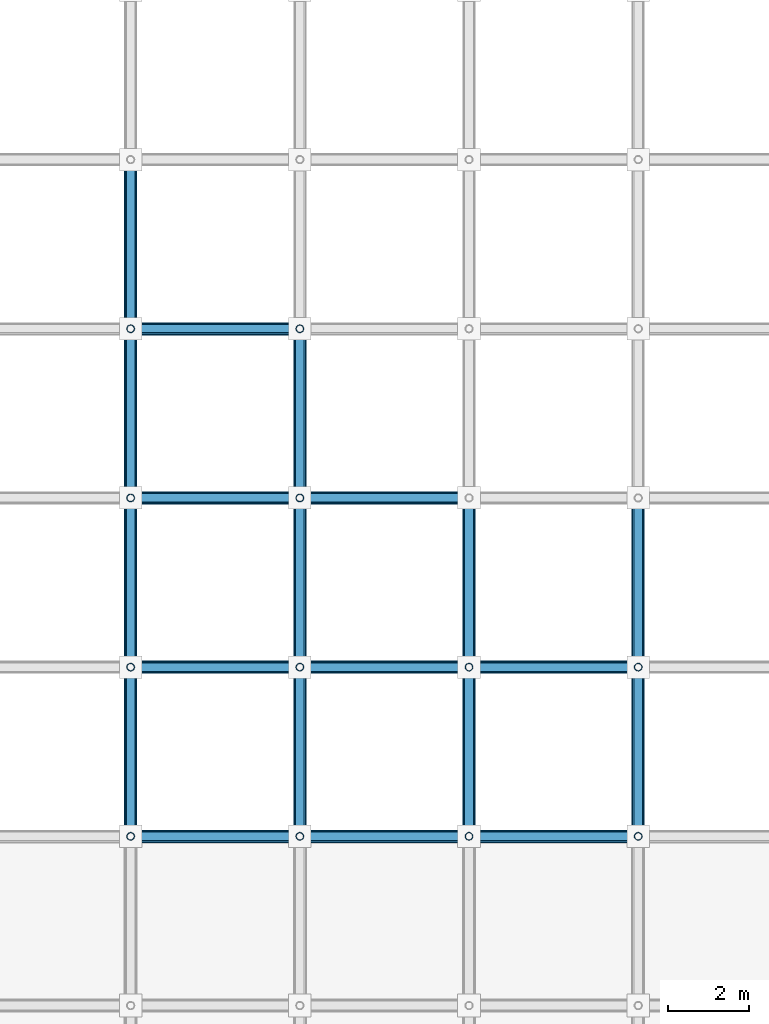
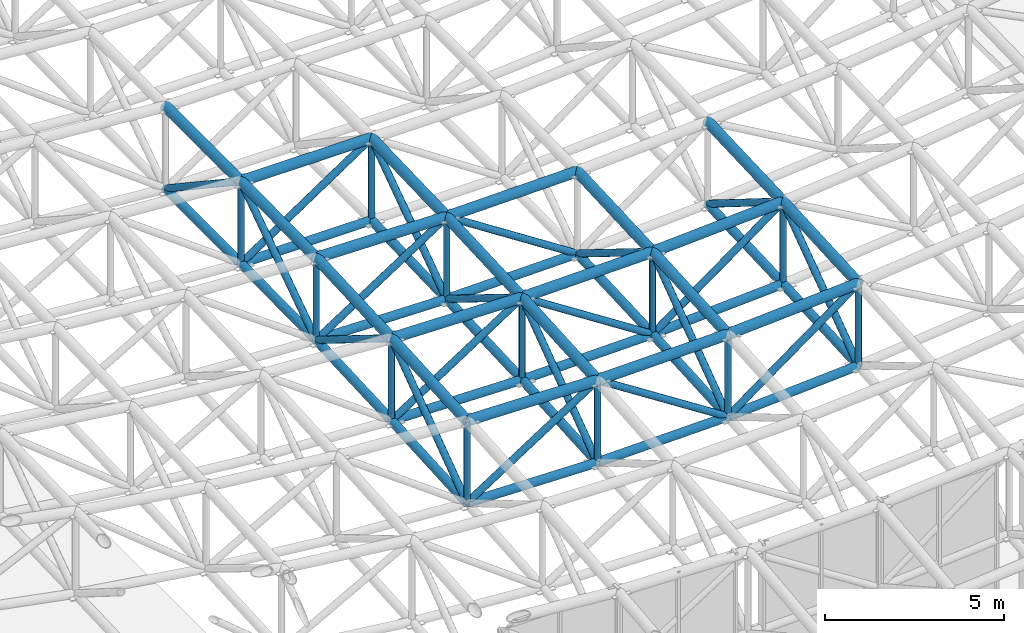
# One storey, part 18 of 93: 72 members.
"""IFC4 building model written with IfcOpenShell, lengths in metres."""

from ifc_helpers import new_model, si_unit, direction, frame, origin, origin_2d, place, context, subcontext, project, spatial, hollow_circle, extrude, material, material_profile, profile_set, type_object, element, save


model = new_model("IFC4")

# Units and contexts
model_context = context("Model", 3, precision=1e-05, world=origin(), true_north=direction((0.0, 1.0)))
body_context = subcontext(model_context, "Body", "Model", "MODEL_VIEW")
ifc_project = project(units=[si_unit("LENGTHUNIT", "METRE"), si_unit("AREAUNIT", "SQUARE_METRE"), si_unit("VOLUMEUNIT", "CUBIC_METRE"), si_unit("PLANEANGLEUNIT", "RADIAN"), si_unit("MASSUNIT", "GRAM", prefix="KILO")], contexts=[model_context])

# Site, building, storey
site_placement = place(None, origin())
site = spatial("IfcSite", under=ifc_project, at=site_placement, CompositionType="ELEMENT")
building_placement = place(site_placement, origin())
building = spatial("IfcBuilding", under=site, at=building_placement, Name="Cumbredor Promenade Congress Hotel", CompositionType="ELEMENT")
storey_placement = place(building_placement, frame((0.0, 0.0, 21.840087890625)))
storey = spatial("IfcBuildingStorey", under=building, at=storey_placement, Name="L06", CompositionType="ELEMENT", Elevation=21.840087890625)

# Members
ifc_material = material(Name="Steel ASTM A500 Grade C", Category="steel")
ifc_material_profile_1 = material_profile(ifc_material, hollow_circle(Radius=0.136474609375, WallThickness=0.01611328125, at=origin_2d()), Name="CHS 273.0x16")
ifc_profile_set_1 = profile_set([ifc_material_profile_1], Name="Steel ASTM A500 Grade C")
member_type_1 = type_object("IfcMemberType", Name="Plenary Roof Space Frame Bottom Chord", PredefinedType="CHORD", material=ifc_profile_set_1)
member_1_placement = place(storey_placement, frame((29.39990234375, 16.800048828125, 7.35498046875), z_axis=(0.999777474695, 0.0, -0.021095049018), x_axis=(0.0, 1.0, 0.0)))
element("IfcMember", 1, at=member_1_placement, inside=storey, type_object=member_type_1, Name="Plenary Congress Hall X Bottom Chord 9.5", PredefinedType="CHORD", context=body_context, shape_type="SweptSolid", body=[
    extrude(hollow_circle(Radius=0.136474609375, WallThickness=0.01611328125, at=origin_2d()), origin(), (0.0, 0.0, 1.0), 4.201171875),
])
member_2_placement = place(storey_placement, frame((33.60009765625, 16.800048828125, 7.266357421875), z_axis=(0.999777448832, 0.0, 0.021096274715), x_axis=(0.0, 1.0, 0.0)))
element("IfcMember", 2, at=member_2_placement, inside=storey, type_object=member_type_1, Name="Plenary Congress Hall X Bottom Chord 10.5", PredefinedType="CHORD", context=body_context, shape_type="SweptSolid", body=[
    extrude(hollow_circle(Radius=0.136474609375, WallThickness=0.01611328125, at=origin_2d()), origin(), (0.0, 0.0, 1.0), 4.200927734375),
])
member_3_placement = place(storey_placement, frame((37.800048828125, 16.800048828125, 7.35498046875), z_axis=(0.997998712994, 0.0, 0.063234238049), x_axis=(0.0, 1.0, 0.0)))
element("IfcMember", 3, at=member_3_placement, inside=storey, type_object=member_type_1, Name="Plenary Congress Hall X Bottom Chord 11.5", PredefinedType="CHORD", context=body_context, shape_type="SweptSolid", body=[
    extrude(hollow_circle(Radius=0.136474609375, WallThickness=0.01611328125, at=origin_2d()), origin(), (0.0, 0.0, 1.0), 4.208251953125),
])
member_4_placement = place(storey_placement, frame((29.39990234375, 21.0, 7.612548828125), z_axis=(0.999818306058, 0.0, -0.019061869588), x_axis=(0.0, 1.0, 0.0)))
element("IfcMember", 4, at=member_4_placement, inside=storey, type_object=member_type_1, Name="Plenary Congress Hall X Bottom Chord 9.6", PredefinedType="CHORD", context=body_context, shape_type="SweptSolid", body=[
    extrude(hollow_circle(Radius=0.136474609375, WallThickness=0.01611328125, at=origin_2d()), origin(), (0.0, 0.0, 1.0), 4.200927734375),
])
member_5_placement = place(storey_placement, frame((33.60009765625, 21.0, 7.532470703125), z_axis=(0.999818284939, 0.0, 0.01906297724), x_axis=(0.0, 1.0, 0.0)))
element("IfcMember", 5, at=member_5_placement, inside=storey, type_object=member_type_1, Name="Plenary Congress Hall X Bottom Chord 10.6", PredefinedType="CHORD", context=body_context, shape_type="SweptSolid", body=[
    extrude(hollow_circle(Radius=0.136474609375, WallThickness=0.01611328125, at=origin_2d()), origin(), (0.0, 0.0, 1.0), 4.20068359375),
])
member_6_placement = place(storey_placement, frame((37.800048828125, 21.0, 7.612548828125), z_axis=(0.998351536645, 0.0, 0.057395202566), x_axis=(0.0, 1.0, 0.0)))
element("IfcMember", 6, at=member_6_placement, inside=storey, type_object=member_type_1, Name="Plenary Congress Hall X Bottom Chord 11.6", PredefinedType="CHORD", context=body_context, shape_type="SweptSolid", body=[
    extrude(hollow_circle(Radius=0.136474609375, WallThickness=0.01611328125, at=origin_2d()), origin(), (0.0, 0.0, 1.0), 4.206787109375),
])
member_7_placement = place(storey_placement, frame((29.39990234375, 25.199951171875, 7.80615234375), z_axis=(0.999843916636, 0.0, -0.017667551189), x_axis=(0.0, 1.0, 0.0)))
element("IfcMember", 7, at=member_7_placement, inside=storey, type_object=member_type_1, Name="Plenary Congress Hall X Bottom Chord 9.7", PredefinedType="CHORD", context=body_context, shape_type="SweptSolid", body=[
    extrude(hollow_circle(Radius=0.136474609375, WallThickness=0.01611328125, at=origin_2d()), origin(), (0.0, 0.0, 1.0), 4.200927734375),
])
member_8_placement = place(storey_placement, frame((33.60009765625, 25.199951171875, 7.73193359375), z_axis=(0.999843898494, 0.0, 0.017668577873), x_axis=(0.0, 1.0, 0.0)))
element("IfcMember", 8, at=member_8_placement, inside=storey, type_object=member_type_1, Name="Plenary Congress Hall X Bottom Chord 10.7", PredefinedType="CHORD", context=body_context, shape_type="SweptSolid", body=[
    extrude(hollow_circle(Radius=0.136474609375, WallThickness=0.01611328125, at=origin_2d()), origin(), (0.0, 0.0, 1.0), 4.20068359375),
])
member_9_placement = place(storey_placement, frame((29.39990234375, 29.39990234375, 7.864501953125), z_axis=(0.999999993243, 0.0, 0.000116252034), x_axis=(0.0, 1.0, 0.0)))
element("IfcMember", 9, at=member_9_placement, inside=storey, type_object=member_type_1, Name="Plenary Congress Hall X Bottom Chord 9.8", PredefinedType="CHORD", context=body_context, shape_type="SweptSolid", body=[
    extrude(hollow_circle(Radius=0.136474609375, WallThickness=0.01611328125, at=origin_2d()), origin(), (0.0, 0.0, 1.0), 4.2001953125),
])
member_10_placement = place(storey_placement, frame((29.39990234375, 16.800048828125, 7.35498046875), z_axis=(0.0, 0.998124817098, 0.061211514389), x_axis=(-1.0, 0.0, 0.0)))
element("IfcMember", 10, at=member_10_placement, inside=storey, type_object=member_type_1, Name="Plenary Congress Hall Y Bottom Chord 9.5", PredefinedType="CHORD", context=body_context, shape_type="SweptSolid", body=[
    extrude(hollow_circle(Radius=0.136474609375, WallThickness=0.01611328125, at=origin_2d()), origin(), (0.0, 0.0, 1.0), 4.207763671875),
])
member_11_placement = place(storey_placement, frame((29.39990234375, 21.0, 7.612548828125), z_axis=(0.0, 0.998939241428, 0.046047713681), x_axis=(-1.0, 0.0, 0.0)))
element("IfcMember", 11, at=member_11_placement, inside=storey, type_object=member_type_1, Name="Plenary Congress Hall Y Bottom Chord 9.6", PredefinedType="CHORD", context=body_context, shape_type="SweptSolid", body=[
    extrude(hollow_circle(Radius=0.136474609375, WallThickness=0.01611328125, at=origin_2d()), origin(), (0.0, 0.0, 1.0), 4.204345703125),
])
member_12_placement = place(storey_placement, frame((29.39990234375, 25.199951171875, 7.80615234375), z_axis=(0.0, 0.999903507276, 0.013891585086), x_axis=(-1.0, 0.0, 0.0)))
element("IfcMember", 12, at=member_12_placement, inside=storey, type_object=member_type_1, Name="Plenary Congress Hall Y Bottom Chord 9.7", PredefinedType="CHORD", context=body_context, shape_type="SweptSolid", body=[
    extrude(hollow_circle(Radius=0.136474609375, WallThickness=0.01611328125, at=origin_2d()), origin(), (0.0, 0.0, 1.0), 4.200439453125),
])
member_13_placement = place(storey_placement, frame((29.39990234375, 29.39990234375, 7.864501953125), z_axis=(0.0, 1.0, 0.0), x_axis=(-1.0, 0.0, 0.0)))
element("IfcMember", 13, at=member_13_placement, inside=storey, type_object=member_type_1, Name="Plenary Congress Hall Y Bottom Chord 9.8", PredefinedType="CHORD", context=body_context, shape_type="SweptSolid", body=[
    extrude(hollow_circle(Radius=0.136474609375, WallThickness=0.01611328125, at=origin_2d()), origin(), (0.0, 0.0, 1.0), 4.2001953125),
])
member_14_placement = place(storey_placement, frame((33.60009765625, 16.800048828125, 7.266357421875), z_axis=(0.0, 0.997998712994, 0.063234238049), x_axis=(-1.0, 0.0, 0.0)))
element("IfcMember", 14, at=member_14_placement, inside=storey, type_object=member_type_1, Name="Plenary Congress Hall Y Bottom Chord 10.5", PredefinedType="CHORD", context=body_context, shape_type="SweptSolid", body=[
    extrude(hollow_circle(Radius=0.136474609375, WallThickness=0.01611328125, at=origin_2d()), origin(), (0.0, 0.0, 1.0), 4.208251953125),
])
member_15_placement = place(storey_placement, frame((33.60009765625, 21.0, 7.532470703125), z_axis=(0.0, 0.998874172518, 0.047438249081), x_axis=(-1.0, 0.0, 0.0)))
element("IfcMember", 15, at=member_15_placement, inside=storey, type_object=member_type_1, Name="Plenary Congress Hall Y Bottom Chord 10.6", PredefinedType="CHORD", context=body_context, shape_type="SweptSolid", body=[
    extrude(hollow_circle(Radius=0.136474609375, WallThickness=0.01611328125, at=origin_2d()), origin(), (0.0, 0.0, 1.0), 4.20458984375),
])
member_16_placement = place(storey_placement, frame((33.60009765625, 25.199951171875, 7.73193359375), z_axis=(0.0, 0.999498549731, 0.031664634634), x_axis=(-1.0, 0.0, 0.0)))
element("IfcMember", 16, at=member_16_placement, inside=storey, type_object=member_type_1, Name="Plenary Congress Hall Y Bottom Chord 10.7", PredefinedType="CHORD", context=body_context, shape_type="SweptSolid", body=[
    extrude(hollow_circle(Radius=0.136474609375, WallThickness=0.01611328125, at=origin_2d()), origin(), (0.0, 0.0, 1.0), 4.2021484375),
])
member_17_placement = place(storey_placement, frame((37.800048828125, 16.800048828125, 7.35498046875), z_axis=(0.0, 0.998124817098, 0.061211514389), x_axis=(-1.0, 0.0, 0.0)))
element("IfcMember", 17, at=member_17_placement, inside=storey, type_object=member_type_1, Name="Plenary Congress Hall Y Bottom Chord 11.5", PredefinedType="CHORD", context=body_context, shape_type="SweptSolid", body=[
    extrude(hollow_circle(Radius=0.136474609375, WallThickness=0.01611328125, at=origin_2d()), origin(), (0.0, 0.0, 1.0), 4.207763671875),
])
member_18_placement = place(storey_placement, frame((37.800048828125, 21.0, 7.612548828125), z_axis=(0.0, 0.998939241428, 0.046047713681), x_axis=(-1.0, 0.0, 0.0)))
element("IfcMember", 18, at=member_18_placement, inside=storey, type_object=member_type_1, Name="Plenary Congress Hall Y Bottom Chord 11.6", PredefinedType="CHORD", context=body_context, shape_type="SweptSolid", body=[
    extrude(hollow_circle(Radius=0.136474609375, WallThickness=0.01611328125, at=origin_2d()), origin(), (0.0, 0.0, 1.0), 4.204345703125),
])
member_19_placement = place(storey_placement, frame((42.0, 16.800048828125, 7.62109375), z_axis=(0.0, 0.998465884377, 0.055370368755), x_axis=(-1.0, 0.0, 0.0)))
element("IfcMember", 19, at=member_19_placement, inside=storey, type_object=member_type_1, Name="Plenary Congress Hall Y Bottom Chord 12.5", PredefinedType="CHORD", context=body_context, shape_type="SweptSolid", body=[
    extrude(hollow_circle(Radius=0.136474609375, WallThickness=0.01611328125, at=origin_2d()), origin(), (0.0, 0.0, 1.0), 4.206298828125),
])
member_20_placement = place(storey_placement, frame((42.0, 21.0, 7.85400390625), z_axis=(0.0, 0.999134984522, 0.041584645057), x_axis=(-1.0, 0.0, 0.0)))
element("IfcMember", 20, at=member_20_placement, inside=storey, type_object=member_type_1, Name="Plenary Congress Hall Y Bottom Chord 12.6", PredefinedType="CHORD", context=body_context, shape_type="SweptSolid", body=[
    extrude(hollow_circle(Radius=0.136474609375, WallThickness=0.01611328125, at=origin_2d()), origin(), (0.0, 0.0, 1.0), 4.20361328125),
])
ifc_material_profile_2 = material_profile(ifc_material, hollow_circle(Radius=0.161865234375, WallThickness=0.01611328125, at=origin_2d()), Name="CHS 323.9x16")
ifc_profile_set_2 = profile_set([ifc_material_profile_2], Name="Steel ASTM A500 Grade C")
member_type_2 = type_object("IfcMemberType", Name="Plenary Roof Space Frame Top Chord", PredefinedType="CHORD", material=ifc_profile_set_2)
member_21_placement = place(storey_placement, frame((29.39990234375, 16.800048828125, 10.155029296875), z_axis=(0.999777474695, 0.0, -0.021095049018), x_axis=(0.0, 1.0, 0.0)))
element("IfcMember", 21, at=member_21_placement, inside=storey, type_object=member_type_2, Name="Plenary Congress Hall X Top Chord 9.5", PredefinedType="CHORD", context=body_context, shape_type="SweptSolid", body=[
    extrude(hollow_circle(Radius=0.161865234375, WallThickness=0.01611328125, at=origin_2d()), origin(), (0.0, 0.0, 1.0), 4.201171875),
])
member_22_placement = place(storey_placement, frame((33.60009765625, 16.800048828125, 10.06640625), z_axis=(0.999777448832, 0.0, 0.021096274715), x_axis=(0.0, 1.0, 0.0)))
element("IfcMember", 22, at=member_22_placement, inside=storey, type_object=member_type_2, Name="Plenary Congress Hall X Top Chord 10.5", PredefinedType="CHORD", context=body_context, shape_type="SweptSolid", body=[
    extrude(hollow_circle(Radius=0.161865234375, WallThickness=0.01611328125, at=origin_2d()), origin(), (0.0, 0.0, 1.0), 4.200927734375),
])
member_23_placement = place(storey_placement, frame((37.800048828125, 16.800048828125, 10.155029296875), z_axis=(0.997998712994, 0.0, 0.063234238049), x_axis=(0.0, 1.0, 0.0)))
element("IfcMember", 23, at=member_23_placement, inside=storey, type_object=member_type_2, Name="Plenary Congress Hall X Top Chord 11.5", PredefinedType="CHORD", context=body_context, shape_type="SweptSolid", body=[
    extrude(hollow_circle(Radius=0.161865234375, WallThickness=0.01611328125, at=origin_2d()), origin(), (0.0, 0.0, 1.0), 4.208251953125),
])
member_24_placement = place(storey_placement, frame((29.39990234375, 21.0, 10.41259765625), z_axis=(0.999818306058, 0.0, -0.019061869588), x_axis=(0.0, 1.0, 0.0)))
element("IfcMember", 24, at=member_24_placement, inside=storey, type_object=member_type_2, Name="Plenary Congress Hall X Top Chord 9.6", PredefinedType="CHORD", context=body_context, shape_type="SweptSolid", body=[
    extrude(hollow_circle(Radius=0.161865234375, WallThickness=0.01611328125, at=origin_2d()), origin(), (0.0, 0.0, 1.0), 4.200927734375),
])
member_25_placement = place(storey_placement, frame((33.60009765625, 21.0, 10.33251953125), z_axis=(0.999818284939, 0.0, 0.01906297724), x_axis=(0.0, 1.0, 0.0)))
element("IfcMember", 25, at=member_25_placement, inside=storey, type_object=member_type_2, Name="Plenary Congress Hall X Top Chord 10.6", PredefinedType="CHORD", context=body_context, shape_type="SweptSolid", body=[
    extrude(hollow_circle(Radius=0.161865234375, WallThickness=0.01611328125, at=origin_2d()), origin(), (0.0, 0.0, 1.0), 4.20068359375),
])
member_26_placement = place(storey_placement, frame((37.800048828125, 21.0, 10.41259765625), z_axis=(0.998351536645, 0.0, 0.057395202566), x_axis=(0.0, 1.0, 0.0)))
element("IfcMember", 26, at=member_26_placement, inside=storey, type_object=member_type_2, Name="Plenary Congress Hall X Top Chord 11.6", PredefinedType="CHORD", context=body_context, shape_type="SweptSolid", body=[
    extrude(hollow_circle(Radius=0.161865234375, WallThickness=0.01611328125, at=origin_2d()), origin(), (0.0, 0.0, 1.0), 4.206787109375),
])
member_27_placement = place(storey_placement, frame((29.39990234375, 25.199951171875, 10.606201171875), z_axis=(0.999843916636, 0.0, -0.017667551189), x_axis=(0.0, 1.0, 0.0)))
element("IfcMember", 27, at=member_27_placement, inside=storey, type_object=member_type_2, Name="Plenary Congress Hall X Top Chord 9.7", PredefinedType="CHORD", context=body_context, shape_type="SweptSolid", body=[
    extrude(hollow_circle(Radius=0.161865234375, WallThickness=0.01611328125, at=origin_2d()), origin(), (0.0, 0.0, 1.0), 4.200927734375),
])
member_28_placement = place(storey_placement, frame((33.60009765625, 25.199951171875, 10.531982421875), z_axis=(0.999843898494, 0.0, 0.017668577873), x_axis=(0.0, 1.0, 0.0)))
element("IfcMember", 28, at=member_28_placement, inside=storey, type_object=member_type_2, Name="Plenary Congress Hall X Top Chord 10.7", PredefinedType="CHORD", context=body_context, shape_type="SweptSolid", body=[
    extrude(hollow_circle(Radius=0.161865234375, WallThickness=0.01611328125, at=origin_2d()), origin(), (0.0, 0.0, 1.0), 4.20068359375),
])
member_29_placement = place(storey_placement, frame((29.39990234375, 29.39990234375, 10.66455078125), z_axis=(0.999999993243, 0.0, 0.000116252034), x_axis=(0.0, 1.0, 0.0)))
element("IfcMember", 29, at=member_29_placement, inside=storey, type_object=member_type_2, Name="Plenary Congress Hall X Top Chord 9.8", PredefinedType="CHORD", context=body_context, shape_type="SweptSolid", body=[
    extrude(hollow_circle(Radius=0.161865234375, WallThickness=0.01611328125, at=origin_2d()), origin(), (0.0, 0.0, 1.0), 4.2001953125),
])
member_30_placement = place(storey_placement, frame((29.39990234375, 16.800048828125, 10.155029296875), z_axis=(0.0, 0.998124817098, 0.061211514389), x_axis=(-1.0, 0.0, 0.0)))
element("IfcMember", 30, at=member_30_placement, inside=storey, type_object=member_type_2, Name="Plenary Congress Hall Y Top Chord 9.5", PredefinedType="CHORD", context=body_context, shape_type="SweptSolid", body=[
    extrude(hollow_circle(Radius=0.161865234375, WallThickness=0.01611328125, at=origin_2d()), origin(), (0.0, 0.0, 1.0), 4.207763671875),
])
member_31_placement = place(storey_placement, frame((29.39990234375, 21.0, 10.41259765625), z_axis=(0.0, 0.998939241428, 0.046047713681), x_axis=(-1.0, 0.0, 0.0)))
element("IfcMember", 31, at=member_31_placement, inside=storey, type_object=member_type_2, Name="Plenary Congress Hall Y Top Chord 9.6", PredefinedType="CHORD", context=body_context, shape_type="SweptSolid", body=[
    extrude(hollow_circle(Radius=0.161865234375, WallThickness=0.01611328125, at=origin_2d()), origin(), (0.0, 0.0, 1.0), 4.204345703125),
])
member_32_placement = place(storey_placement, frame((29.39990234375, 25.199951171875, 10.606201171875), z_axis=(0.0, 0.999903507276, 0.013891585086), x_axis=(-1.0, 0.0, 0.0)))
element("IfcMember", 32, at=member_32_placement, inside=storey, type_object=member_type_2, Name="Plenary Congress Hall Y Top Chord 9.7", PredefinedType="CHORD", context=body_context, shape_type="SweptSolid", body=[
    extrude(hollow_circle(Radius=0.161865234375, WallThickness=0.01611328125, at=origin_2d()), origin(), (0.0, 0.0, 1.0), 4.200439453125),
])
member_33_placement = place(storey_placement, frame((29.39990234375, 29.39990234375, 10.66455078125), z_axis=(0.0, 1.0, 0.0), x_axis=(-1.0, 0.0, 0.0)))
element("IfcMember", 33, at=member_33_placement, inside=storey, type_object=member_type_2, Name="Plenary Congress Hall Y Top Chord 9.8", PredefinedType="CHORD", context=body_context, shape_type="SweptSolid", body=[
    extrude(hollow_circle(Radius=0.161865234375, WallThickness=0.01611328125, at=origin_2d()), origin(), (0.0, 0.0, 1.0), 4.2001953125),
])
member_34_placement = place(storey_placement, frame((33.60009765625, 16.800048828125, 10.06640625), z_axis=(0.0, 0.997998712994, 0.063234238049), x_axis=(-1.0, 0.0, 0.0)))
element("IfcMember", 34, at=member_34_placement, inside=storey, type_object=member_type_2, Name="Plenary Congress Hall Y Top Chord 10.5", PredefinedType="CHORD", context=body_context, shape_type="SweptSolid", body=[
    extrude(hollow_circle(Radius=0.161865234375, WallThickness=0.01611328125, at=origin_2d()), origin(), (0.0, 0.0, 1.0), 4.208251953125),
])
member_35_placement = place(storey_placement, frame((33.60009765625, 21.0, 10.33251953125), z_axis=(0.0, 0.998874172518, 0.047438249081), x_axis=(-1.0, 0.0, 0.0)))
element("IfcMember", 35, at=member_35_placement, inside=storey, type_object=member_type_2, Name="Plenary Congress Hall Y Top Chord 10.6", PredefinedType="CHORD", context=body_context, shape_type="SweptSolid", body=[
    extrude(hollow_circle(Radius=0.161865234375, WallThickness=0.01611328125, at=origin_2d()), origin(), (0.0, 0.0, 1.0), 4.20458984375),
])
member_36_placement = place(storey_placement, frame((33.60009765625, 25.199951171875, 10.531982421875), z_axis=(0.0, 0.999498549731, 0.031664634634), x_axis=(-1.0, 0.0, 0.0)))
element("IfcMember", 36, at=member_36_placement, inside=storey, type_object=member_type_2, Name="Plenary Congress Hall Y Top Chord 10.7", PredefinedType="CHORD", context=body_context, shape_type="SweptSolid", body=[
    extrude(hollow_circle(Radius=0.161865234375, WallThickness=0.01611328125, at=origin_2d()), origin(), (0.0, 0.0, 1.0), 4.2021484375),
])
member_37_placement = place(storey_placement, frame((37.800048828125, 16.800048828125, 10.155029296875), z_axis=(0.0, 0.998124817098, 0.061211514389), x_axis=(-1.0, 0.0, 0.0)))
element("IfcMember", 37, at=member_37_placement, inside=storey, type_object=member_type_2, Name="Plenary Congress Hall Y Top Chord 11.5", PredefinedType="CHORD", context=body_context, shape_type="SweptSolid", body=[
    extrude(hollow_circle(Radius=0.161865234375, WallThickness=0.01611328125, at=origin_2d()), origin(), (0.0, 0.0, 1.0), 4.207763671875),
])
member_38_placement = place(storey_placement, frame((37.800048828125, 21.0, 10.41259765625), z_axis=(0.0, 0.998939241428, 0.046047713681), x_axis=(-1.0, 0.0, 0.0)))
element("IfcMember", 38, at=member_38_placement, inside=storey, type_object=member_type_2, Name="Plenary Congress Hall Y Top Chord 11.6", PredefinedType="CHORD", context=body_context, shape_type="SweptSolid", body=[
    extrude(hollow_circle(Radius=0.161865234375, WallThickness=0.01611328125, at=origin_2d()), origin(), (0.0, 0.0, 1.0), 4.204345703125),
])
member_39_placement = place(storey_placement, frame((42.0, 16.800048828125, 10.421142578125), z_axis=(0.0, 0.998465884377, 0.055370368755), x_axis=(-1.0, 0.0, 0.0)))
element("IfcMember", 39, at=member_39_placement, inside=storey, type_object=member_type_2, Name="Plenary Congress Hall Y Top Chord 12.5", PredefinedType="CHORD", context=body_context, shape_type="SweptSolid", body=[
    extrude(hollow_circle(Radius=0.161865234375, WallThickness=0.01611328125, at=origin_2d()), origin(), (0.0, 0.0, 1.0), 4.206298828125),
])
member_40_placement = place(storey_placement, frame((42.0, 21.0, 10.654052734375), z_axis=(0.0, 0.999137395956, 0.041526666169), x_axis=(-1.0, 0.0, 0.0)))
element("IfcMember", 40, at=member_40_placement, inside=storey, type_object=member_type_2, Name="Plenary Congress Hall Y Top Chord 12.6", PredefinedType="CHORD", context=body_context, shape_type="SweptSolid", body=[
    extrude(hollow_circle(Radius=0.161865234375, WallThickness=0.01611328125, at=origin_2d()), origin(), (0.0, 0.0, 1.0), 4.20361328125),
])
ifc_material_profile_3 = material_profile(ifc_material, hollow_circle(Radius=0.109619140625, WallThickness=0.012451171875, at=origin_2d()), Name="CHS 219.1x12.5")
ifc_profile_set_3 = profile_set([ifc_material_profile_3], Name="Steel ASTM A500 Grade C")
member_type_3 = type_object("IfcMemberType", Name="Space Frame Web Diagonal D1", PredefinedType="BRACE", material=ifc_profile_set_3)
member_41_placement = place(storey_placement, frame((29.39990234375, 16.800048828125, 7.35498046875), z_axis=(0.840148785865, 0.0, 0.542355987899), x_axis=(0.0, 1.0, 0.0)))
element("IfcMember", 41, at=member_41_placement, inside=storey, type_object=member_type_3, Name="Plenary Congress Hall X Web Diagonal 9.5", PredefinedType="BRACE", context=body_context, shape_type="SweptSolid", body=[
    extrude(hollow_circle(Radius=0.109619140625, WallThickness=0.012451171875, at=origin_2d()), origin(), (0.0, 0.0, 1.0), 4.999267578125),
])
member_42_placement = place(storey_placement, frame((33.60009765625, 16.800048828125, 10.06640625), z_axis=(0.840134420311, 0.0, -0.542378240538), x_axis=(0.0, 1.0, 0.0)))
element("IfcMember", 42, at=member_42_placement, inside=storey, type_object=member_type_3, Name="Plenary Congress Hall X Web Diagonal 10.5", PredefinedType="BRACE", context=body_context, shape_type="SweptSolid", body=[
    extrude(hollow_circle(Radius=0.109619140625, WallThickness=0.012451171875, at=origin_2d()), origin(), (0.0, 0.0, 1.0), 4.9990234375),
])
member_43_placement = place(storey_placement, frame((37.800048828125, 16.800048828125, 7.35498046875), z_axis=(0.807668880256, 0.0, 0.589636311523), x_axis=(0.0, 1.0, 0.0)))
element("IfcMember", 43, at=member_43_placement, inside=storey, type_object=member_type_3, Name="Plenary Congress Hall X Web Diagonal 11.5", PredefinedType="BRACE", context=body_context, shape_type="SweptSolid", body=[
    extrude(hollow_circle(Radius=0.109619140625, WallThickness=0.012451171875, at=origin_2d()), origin(), (0.0, 0.0, 1.0), 5.2001953125),
])
member_44_placement = place(storey_placement, frame((29.39990234375, 21.0, 7.612548828125), z_axis=(0.839369826281, 0.0, 0.543560755324), x_axis=(0.0, 1.0, 0.0)))
element("IfcMember", 44, at=member_44_placement, inside=storey, type_object=member_type_3, Name="Plenary Congress Hall X Web Diagonal 9.6", PredefinedType="BRACE", context=body_context, shape_type="SweptSolid", body=[
    extrude(hollow_circle(Radius=0.109619140625, WallThickness=0.012451171875, at=origin_2d()), origin(), (0.0, 0.0, 1.0), 5.00390625),
])
member_45_placement = place(storey_placement, frame((33.60009765625, 21.0, 10.33251953125), z_axis=(0.839355410214, 0.0, -0.543583016055), x_axis=(0.0, 1.0, 0.0)))
element("IfcMember", 45, at=member_45_placement, inside=storey, type_object=member_type_3, Name="Plenary Congress Hall X Web Diagonal 10.6", PredefinedType="BRACE", context=body_context, shape_type="SweptSolid", body=[
    extrude(hollow_circle(Radius=0.109619140625, WallThickness=0.012451171875, at=origin_2d()), origin(), (0.0, 0.0, 1.0), 5.003662109375),
])
member_46_placement = place(storey_placement, frame((37.800048828125, 21.0, 7.612548828125), z_axis=(0.809927468281, 0.0, 0.586530047076), x_axis=(0.0, 1.0, 0.0)))
element("IfcMember", 46, at=member_46_placement, inside=storey, type_object=member_type_3, Name="Plenary Congress Hall X Web Diagonal 11.6", PredefinedType="BRACE", context=body_context, shape_type="SweptSolid", body=[
    extrude(hollow_circle(Radius=0.109619140625, WallThickness=0.012451171875, at=origin_2d()), origin(), (0.0, 0.0, 1.0), 5.185546875),
])
for number, where, z_axis, x_axis, name in (
    (47, (29.39990234375, 25.199951171875, 7.80615234375), (0.838835521202, 0.0, 0.544384945025), (0.0, 1.0, 0.0), "Plenary Congress Hall X Web Diagonal 9.7"),
    (48, (33.60009765625, 25.199951171875, 10.531982421875), (0.83882107059, 0.0, -0.544407211134), (0.0, 1.0, 0.0), "Plenary Congress Hall X Web Diagonal 10.7"),
):
    element("IfcMember", number, at=place(storey_placement, frame(where, z_axis=z_axis, x_axis=x_axis)), inside=storey, type_object=member_type_3, Name=name, PredefinedType="BRACE", context=body_context, shape_type="SweptSolid", body=[
        extrude(hollow_circle(Radius=0.109619140625, WallThickness=0.012451171875, at=origin_2d()), origin(), (0.0, 0.0, 1.0), 5.007080078125),
    ])
member_47_placement = place(storey_placement, frame((29.39990234375, 29.39990234375, 7.864501953125), z_axis=(0.83201309123, 0.0, 0.554755996832), x_axis=(0.0, 1.0, 0.0)))
element("IfcMember", 49, at=member_47_placement, inside=storey, type_object=member_type_3, Name="Plenary Congress Hall X Web Diagonal 9.8", PredefinedType="BRACE", context=body_context, shape_type="SweptSolid", body=[
    extrude(hollow_circle(Radius=0.109619140625, WallThickness=0.012451171875, at=origin_2d()), origin(), (0.0, 0.0, 1.0), 5.04833984375),
])
member_48_placement = place(storey_placement, frame((29.39990234375, 16.800048828125, 7.35498046875), z_axis=(0.0, 0.808451480651, 0.58856282879), x_axis=(-1.0, 0.0, 0.0)))
element("IfcMember", 50, at=member_48_placement, inside=storey, type_object=member_type_3, Name="Plenary Congress Hall Y Web Diagonal 9.5", PredefinedType="BRACE", context=body_context, shape_type="SweptSolid", body=[
    extrude(hollow_circle(Radius=0.109619140625, WallThickness=0.012451171875, at=origin_2d()), origin(), (0.0, 0.0, 1.0), 5.195068359375),
])
member_49_placement = place(storey_placement, frame((29.39990234375, 21.0, 10.41259765625), z_axis=(0.0, 0.849678320334, -0.527301386263), x_axis=(-1.0, 0.0, 0.0)))
element("IfcMember", 51, at=member_49_placement, inside=storey, type_object=member_type_3, Name="Plenary Congress Hall Y Web Diagonal 9.6", PredefinedType="BRACE", context=body_context, shape_type="SweptSolid", body=[
    extrude(hollow_circle(Radius=0.109619140625, WallThickness=0.012451171875, at=origin_2d()), origin(), (0.0, 0.0, 1.0), 4.94287109375),
])
member_50_placement = place(storey_placement, frame((29.39990234375, 25.199951171875, 7.80615234375), z_axis=(0.0, 0.826703876917, 0.562637272042), x_axis=(-1.0, 0.0, 0.0)))
element("IfcMember", 52, at=member_50_placement, inside=storey, type_object=member_type_3, Name="Plenary Congress Hall Y Web Diagonal 9.7", PredefinedType="BRACE", context=body_context, shape_type="SweptSolid", body=[
    extrude(hollow_circle(Radius=0.109619140625, WallThickness=0.012451171875, at=origin_2d()), origin(), (0.0, 0.0, 1.0), 5.080322265625),
])
member_51_placement = place(storey_placement, frame((29.39990234375, 29.39990234375, 10.66455078125), z_axis=(0.0, 0.832057734909, -0.554689035206), x_axis=(-1.0, 0.0, 0.0)))
element("IfcMember", 53, at=member_51_placement, inside=storey, type_object=member_type_3, Name="Plenary Congress Hall Y Web Diagonal 9.8", PredefinedType="BRACE", context=body_context, shape_type="SweptSolid", body=[
    extrude(hollow_circle(Radius=0.109619140625, WallThickness=0.012451171875, at=origin_2d()), origin(), (0.0, 0.0, 1.0), 5.0478515625),
])
member_52_placement = place(storey_placement, frame((33.60009765625, 16.800048828125, 7.266357421875), z_axis=(0.0, 0.807668880256, 0.589636311523), x_axis=(-1.0, 0.0, 0.0)))
element("IfcMember", 54, at=member_52_placement, inside=storey, type_object=member_type_3, Name="Plenary Congress Hall Y Web Diagonal 10.5", PredefinedType="BRACE", context=body_context, shape_type="SweptSolid", body=[
    extrude(hollow_circle(Radius=0.109619140625, WallThickness=0.012451171875, at=origin_2d()), origin(), (0.0, 0.0, 1.0), 5.2001953125),
])
member_53_placement = place(storey_placement, frame((33.60009765625, 21.0, 10.33251953125), z_axis=(0.0, 0.850209319178, -0.526444786833), x_axis=(-1.0, 0.0, 0.0)))
element("IfcMember", 55, at=member_53_placement, inside=storey, type_object=member_type_3, Name="Plenary Congress Hall Y Web Diagonal 10.6", PredefinedType="BRACE", context=body_context, shape_type="SweptSolid", body=[
    extrude(hollow_circle(Radius=0.109619140625, WallThickness=0.012451171875, at=origin_2d()), origin(), (0.0, 0.0, 1.0), 4.93994140625),
])
member_54_placement = place(storey_placement, frame((33.60009765625, 25.199951171875, 7.73193359375), z_axis=(0.0, 0.81986057706, 0.572563214137), x_axis=(-1.0, 0.0, 0.0)))
element("IfcMember", 56, at=member_54_placement, inside=storey, type_object=member_type_3, Name="Plenary Congress Hall Y Web Diagonal 10.7", PredefinedType="BRACE", context=body_context, shape_type="SweptSolid", body=[
    extrude(hollow_circle(Radius=0.109619140625, WallThickness=0.012451171875, at=origin_2d()), origin(), (0.0, 0.0, 1.0), 5.122802734375),
])
member_55_placement = place(storey_placement, frame((37.800048828125, 16.800048828125, 7.35498046875), z_axis=(0.0, 0.808451480651, 0.58856282879), x_axis=(-1.0, 0.0, 0.0)))
element("IfcMember", 57, at=member_55_placement, inside=storey, type_object=member_type_3, Name="Plenary Congress Hall Y Web Diagonal 11.5", PredefinedType="BRACE", context=body_context, shape_type="SweptSolid", body=[
    extrude(hollow_circle(Radius=0.109619140625, WallThickness=0.012451171875, at=origin_2d()), origin(), (0.0, 0.0, 1.0), 5.195068359375),
])
member_56_placement = place(storey_placement, frame((37.800048828125, 21.0, 10.41259765625), z_axis=(0.0, 0.849678320334, -0.527301386263), x_axis=(-1.0, 0.0, 0.0)))
element("IfcMember", 58, at=member_56_placement, inside=storey, type_object=member_type_3, Name="Plenary Congress Hall Y Web Diagonal 11.6", PredefinedType="BRACE", context=body_context, shape_type="SweptSolid", body=[
    extrude(hollow_circle(Radius=0.109619140625, WallThickness=0.012451171875, at=origin_2d()), origin(), (0.0, 0.0, 1.0), 4.94287109375),
])
member_57_placement = place(storey_placement, frame((42.0, 16.800048828125, 7.62109375), z_axis=(0.0, 0.81071029416, 0.58544753731), x_axis=(-1.0, 0.0, 0.0)))
element("IfcMember", 59, at=member_57_placement, inside=storey, type_object=member_type_3, Name="Plenary Congress Hall Y Web Diagonal 12.5", PredefinedType="BRACE", context=body_context, shape_type="SweptSolid", body=[
    extrude(hollow_circle(Radius=0.109619140625, WallThickness=0.012451171875, at=origin_2d()), origin(), (0.0, 0.0, 1.0), 5.1806640625),
])
member_58_placement = place(storey_placement, frame((42.0, 21.0, 10.654052734375), z_axis=(0.0, 0.847973380055, -0.530038816237), x_axis=(-1.0, 0.0, 0.0)))
element("IfcMember", 60, at=member_58_placement, inside=storey, type_object=member_type_3, Name="Plenary Congress Hall Y Web Diagonal 12.6", PredefinedType="BRACE", context=body_context, shape_type="SweptSolid", body=[
    extrude(hollow_circle(Radius=0.109619140625, WallThickness=0.012451171875, at=origin_2d()), origin(), (0.0, 0.0, 1.0), 4.952880859375),
])
ifc_material_profile_4 = material_profile(ifc_material, hollow_circle(Radius=0.096923828125, WallThickness=0.010009765625, at=origin_2d()), Name="CHS 193.7x10")
ifc_profile_set_4 = profile_set([ifc_material_profile_4], Name="Steel ASTM A500 Grade C")
member_type_4 = type_object("IfcMemberType", Name="Space Frame Web Post P1", PredefinedType="BRACE", material=ifc_profile_set_4)
for number, where, z_axis, x_axis, name in (
    (61, (29.39990234375, 16.800048828125, 7.35498046875), (0.0, 0.0, 1.0), (1.0, 0.0, 0.0), "Plenary Congress Hall Space Frame Web Post 9.5"),
    (62, (29.39990234375, 21.0, 7.612548828125), (0.0, 0.0, 1.0), (1.0, 0.0, 0.0), "Plenary Congress Hall Space Frame Web Post 9.6"),
    (63, (29.39990234375, 25.199951171875, 7.80615234375), (0.0, 0.0, 1.0), (1.0, 0.0, 0.0), "Plenary Congress Hall Space Frame Web Post 9.7"),
    (64, (29.39990234375, 29.39990234375, 7.864501953125), (0.0, 0.0, 1.0), (1.0, 0.0, 0.0), "Plenary Congress Hall Space Frame Web Post 9.8"),
    (65, (33.60009765625, 16.800048828125, 7.266357421875), (0.0, 0.0, 1.0), (1.0, 0.0, 0.0), "Plenary Congress Hall Space Frame Web Post 10.5"),
    (66, (33.60009765625, 21.0, 7.532470703125), (0.0, 0.0, 1.0), (1.0, 0.0, 0.0), "Plenary Congress Hall Space Frame Web Post 10.6"),
    (67, (33.60009765625, 25.199951171875, 7.73193359375), (0.0, 0.0, 1.0), (1.0, 0.0, 0.0), "Plenary Congress Hall Space Frame Web Post 10.7"),
    (68, (33.60009765625, 29.39990234375, 7.864990234375), (0.0, 0.0, 1.0), (1.0, 0.0, 0.0), "Plenary Congress Hall Space Frame Web Post 10.8"),
    (69, (37.800048828125, 16.800048828125, 7.35498046875), (0.0, 0.0, 1.0), (1.0, 0.0, 0.0), "Plenary Congress Hall Space Frame Web Post 11.5"),
    (70, (37.800048828125, 21.0, 7.612548828125), (0.0, 0.0, 1.0), (1.0, 0.0, 0.0), "Plenary Congress Hall Space Frame Web Post 11.6"),
    (71, (42.0, 16.800048828125, 7.62109375), (0.0, 0.0, 1.0), (1.0, 0.0, 0.0), "Plenary Congress Hall Space Frame Web Post 12.5"),
    (72, (42.0, 21.0, 7.85400390625), (0.0, 0.0, 1.0), (1.0, 0.0, 0.0), "Plenary Congress Hall Space Frame Web Post 12.6"),
):
    element("IfcMember", number, at=place(storey_placement, frame(where, z_axis=z_axis, x_axis=x_axis)), inside=storey, type_object=member_type_4, Name=name, PredefinedType="BRACE", context=body_context, shape_type="SweptSolid", body=[
        extrude(hollow_circle(Radius=0.096923828125, WallThickness=0.010009765625, at=origin_2d()), origin(), (0.0, 0.0, 1.0), 2.800048828125),
    ])

save(model, "model.ifc")
